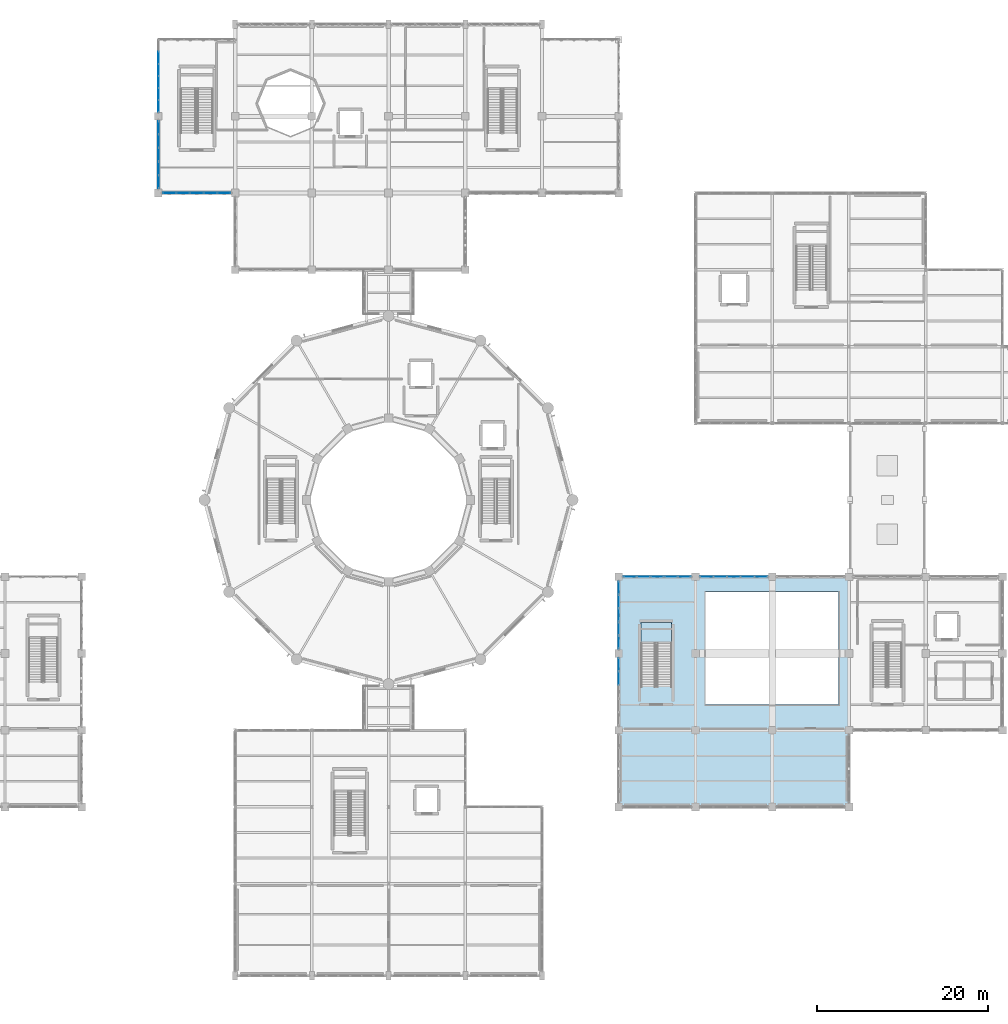
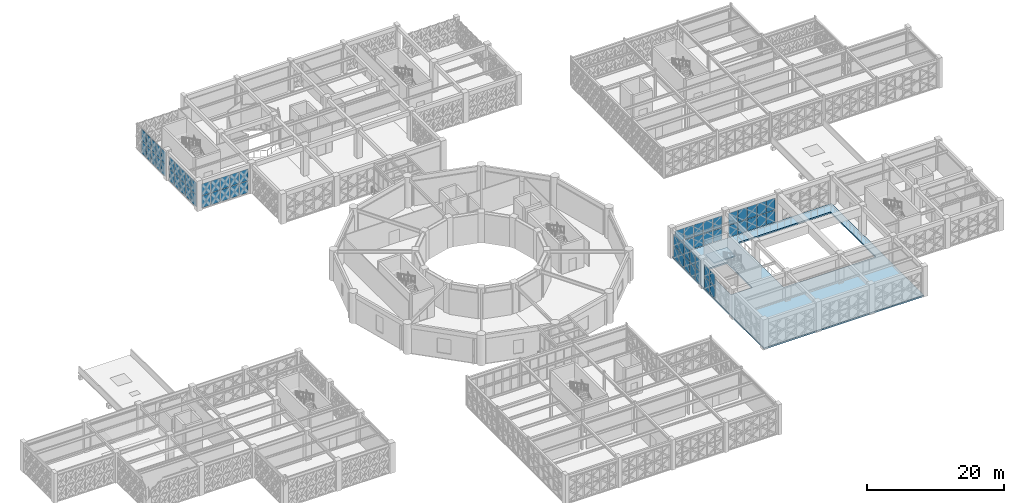
# One storey, part 123 of 155: 64 plates, 2 slabs, 8 elements without a shape of their own.
"""IFC4 building model written with IfcOpenShell, lengths in metres."""

from ifc_helpers import new_model, si_unit, direction, frame, origin, origin_2d, place, context, subcontext, project, spatial, polyline, rectangle, outline, extrude, material, layer, layer_set, type_object, element, aggregate, save


model = new_model("IFC4")

# Units and contexts
model_context = context("Model", 3, precision=1e-05, world=origin(), true_north=direction((0.0, 1.0)))
body_context = subcontext(model_context, "Body", "Model", "MODEL_VIEW")
ifc_project = project(units=[si_unit("LENGTHUNIT", "METRE"), si_unit("AREAUNIT", "SQUARE_METRE"), si_unit("VOLUMEUNIT", "CUBIC_METRE"), si_unit("PLANEANGLEUNIT", "RADIAN"), si_unit("MASSUNIT", "GRAM", prefix="KILO")], contexts=[model_context])

# Site, building, storey
site_placement = place(None, origin())
site = spatial("IfcSite", under=ifc_project, at=site_placement, CompositionType="ELEMENT")
building_placement = place(site_placement, origin())
building = spatial("IfcBuilding", under=site, at=building_placement, Name="Haizhuo Lancet Aquarium", CompositionType="ELEMENT")
storey_placement = place(building_placement, frame((0.0, 0.0, 10.800048828125)))
storey = spatial("IfcBuildingStorey", under=building, at=storey_placement, Name="L02", CompositionType="ELEMENT", Elevation=10.800048828125)

# Curtain wall, plates
ifc_material_1 = material(Name="Aluminium 6063-T6", Category="aluminium")
curtain_wall_type_1 = type_object("IfcCurtainWallType", Name="CWO-8010x4460", PredefinedType="NOTDEFINED", material=ifc_material_1)
curtain_wall_1_placement = place(storey_placement, origin())
curtain_wall_1 = element("IfcCurtainWall", 1, at=curtain_wall_1_placement, inside=storey, type_object=curtain_wall_type_1, Name="L02 curtain wall CW-V3-L02-065", PredefinedType="NOTDEFINED")
ifc_material_2 = material(Name="Laminated Low-E Glass", Category="glass")
ifc_layer_1 = layer(ifc_material_2, 0.028076171875)
ifc_layer_set_1 = layer_set([ifc_layer_1], Name="Laminated Low-E Glass")
plate_type_1 = type_object("IfcPlateType", Name="CW-PNL-1", PredefinedType="CURTAIN_PANEL", material=ifc_layer_set_1)
plate_1_placement = place(storey_placement, frame((27.0, -20.89794921875, 0.07568359375), z_axis=(0.0, 0.0, 1.0), x_axis=(0.0, 1.0, 0.0)))
plate_1 = element("IfcPlate", 2, at=plate_1_placement, type_object=plate_type_1, Name="CWO-80x44 panel 4.1", PredefinedType="CURTAIN_PANEL", context=body_context, shape_type="SweptSolid", body=[
    extrude(rectangle(XDim=1.527099609375, YDim=0.028076171875, at=origin_2d()), origin(), (0.0, 0.0, 1.0), 2.116943359375),
])
plate_2_placement = place(storey_placement, frame((27.0, -20.89794921875, 2.26708984375), z_axis=(0.0, 0.0, 1.0), x_axis=(0.0, 1.0, 0.0)))
plate_2 = element("IfcPlate", 3, at=plate_2_placement, type_object=plate_type_1, Name="CWO-80x44 panel 4.2", PredefinedType="CURTAIN_PANEL", context=body_context, shape_type="SweptSolid", body=[
    extrude(rectangle(XDim=1.527099609375, YDim=0.028076171875, at=origin_2d()), origin(), (0.0, 0.0, 1.0), 2.117919921875),
])
plate_3_placement = place(storey_placement, frame((27.0, -19.31494140625, 0.07568359375), z_axis=(0.0, 0.0, 1.0), x_axis=(0.0, 1.0, 0.0)))
plate_3 = element("IfcPlate", 4, at=plate_3_placement, type_object=plate_type_1, Name="CWO-80x44 panel 5.1", PredefinedType="CURTAIN_PANEL", context=body_context, shape_type="SweptSolid", body=[
    extrude(rectangle(XDim=1.489990234375, YDim=0.028076171875, at=origin_2d()), origin(), (0.0, 0.0, 1.0), 2.116943359375),
])
plate_4_placement = place(storey_placement, frame((27.0, -19.31494140625, 2.26708984375), z_axis=(0.0, 0.0, 1.0), x_axis=(0.0, 1.0, 0.0)))
plate_4 = element("IfcPlate", 5, at=plate_4_placement, type_object=plate_type_1, Name="CWO-80x44 panel 5.2", PredefinedType="CURTAIN_PANEL", context=body_context, shape_type="SweptSolid", body=[
    extrude(rectangle(XDim=1.489990234375, YDim=0.028076171875, at=origin_2d()), origin(), (0.0, 0.0, 1.0), 2.117919921875),
])
aggregate(curtain_wall_1, [plate_1, plate_2, plate_3, plate_4])

curtain_wall_type_2 = type_object("IfcCurtainWallType", Name="CWD-8510x4440", PredefinedType="NOTDEFINED", material=ifc_material_1)
curtain_wall_2_placement = place(storey_placement, origin())
curtain_wall_2 = element("IfcCurtainWall", 6, at=curtain_wall_2_placement, inside=storey, type_object=curtain_wall_type_2, Name="L02 curtain wall CW-V5-L02-145", PredefinedType="NOTDEFINED")
plate_5_placement = place(storey_placement, frame((-27.0, 46.219970703125, 0.0654296875), z_axis=(0.0, 0.0, 1.0), x_axis=(0.0, 1.0, 0.0)))
plate_5 = element("IfcPlate", 7, at=plate_5_placement, type_object=plate_type_1, Name="CWD-85x44 panel 1.1", PredefinedType="CURTAIN_PANEL", context=body_context, shape_type="SweptSolid", body=[
    extrude(rectangle(XDim=1.320068359375, YDim=0.028076171875, at=origin_2d()), origin(), (0.0, 0.0, 1.0), 2.125),
])
plate_6_placement = place(storey_placement, frame((-27.0, 46.219970703125, 2.255859375), z_axis=(0.0, 0.0, 1.0), x_axis=(0.0, 1.0, 0.0)))
plate_6 = element("IfcPlate", 8, at=plate_6_placement, type_object=plate_type_1, Name="CWD-85x44 panel 1.2", PredefinedType="CURTAIN_PANEL", context=body_context, shape_type="SweptSolid", body=[
    extrude(rectangle(XDim=1.320068359375, YDim=0.028076171875, at=origin_2d()), origin(), (0.0, 0.0, 1.0), 2.1240234375),
])
plate_7_placement = place(storey_placement, frame((-27.0, 47.62109375, 0.0654296875), z_axis=(0.0, 0.0, 1.0), x_axis=(0.0, 1.0, 0.0)))
plate_7 = element("IfcPlate", 9, at=plate_7_placement, type_object=plate_type_1, Name="CWD-85x44 panel 2.1", PredefinedType="CURTAIN_PANEL", context=body_context, shape_type="SweptSolid", body=[
    extrude(rectangle(XDim=1.35302734375, YDim=0.028076171875, at=origin_2d()), origin(), (0.0, 0.0, 1.0), 2.125),
])
plate_8_placement = place(storey_placement, frame((-27.0, 47.62109375, 2.255859375), z_axis=(0.0, 0.0, 1.0), x_axis=(0.0, 1.0, 0.0)))
plate_8 = element("IfcPlate", 10, at=plate_8_placement, type_object=plate_type_1, Name="CWD-85x44 panel 2.2", PredefinedType="CURTAIN_PANEL", context=body_context, shape_type="SweptSolid", body=[
    extrude(rectangle(XDim=1.35302734375, YDim=0.028076171875, at=origin_2d()), origin(), (0.0, 0.0, 1.0), 2.1240234375),
])
plate_9_placement = place(storey_placement, frame((-27.0, 49.0390625, 0.0654296875), z_axis=(0.0, 0.0, 1.0), x_axis=(0.0, 1.0, 0.0)))
plate_9 = element("IfcPlate", 11, at=plate_9_placement, type_object=plate_type_1, Name="CWD-85x44 panel 3.1", PredefinedType="CURTAIN_PANEL", context=body_context, shape_type="SweptSolid", body=[
    extrude(rectangle(XDim=1.35302734375, YDim=0.028076171875, at=origin_2d()), origin(), (0.0, 0.0, 1.0), 2.125),
])
plate_10_placement = place(storey_placement, frame((-27.0, 49.0390625, 2.255859375), z_axis=(0.0, 0.0, 1.0), x_axis=(0.0, 1.0, 0.0)))
plate_10 = element("IfcPlate", 12, at=plate_10_placement, type_object=plate_type_1, Name="CWD-85x44 panel 3.2", PredefinedType="CURTAIN_PANEL", context=body_context, shape_type="SweptSolid", body=[
    extrude(rectangle(XDim=1.35302734375, YDim=0.028076171875, at=origin_2d()), origin(), (0.0, 0.0, 1.0), 2.1240234375),
])
plate_11_placement = place(storey_placement, frame((-27.0, 50.4560546875, 0.0654296875), z_axis=(0.0, 0.0, 1.0), x_axis=(0.0, 1.0, 0.0)))
plate_11 = element("IfcPlate", 13, at=plate_11_placement, type_object=plate_type_1, Name="CWD-85x44 panel 4.1", PredefinedType="CURTAIN_PANEL", context=body_context, shape_type="SweptSolid", body=[
    extrude(rectangle(XDim=1.35302734375, YDim=0.028076171875, at=origin_2d()), origin(), (0.0, 0.0, 1.0), 2.125),
])
plate_12_placement = place(storey_placement, frame((-27.0, 50.4560546875, 2.255859375), z_axis=(0.0, 0.0, 1.0), x_axis=(0.0, 1.0, 0.0)))
plate_12 = element("IfcPlate", 14, at=plate_12_placement, type_object=plate_type_1, Name="CWD-85x44 panel 4.2", PredefinedType="CURTAIN_PANEL", context=body_context, shape_type="SweptSolid", body=[
    extrude(rectangle(XDim=1.35302734375, YDim=0.028076171875, at=origin_2d()), origin(), (0.0, 0.0, 1.0), 2.1240234375),
])
plate_13_placement = place(storey_placement, frame((-27.0, 51.8740234375, 0.0654296875), z_axis=(0.0, 0.0, 1.0), x_axis=(0.0, 1.0, 0.0)))
plate_13 = element("IfcPlate", 15, at=plate_13_placement, type_object=plate_type_1, Name="CWD-85x44 panel 5.1", PredefinedType="CURTAIN_PANEL", context=body_context, shape_type="SweptSolid", body=[
    extrude(rectangle(XDim=1.35302734375, YDim=0.028076171875, at=origin_2d()), origin(), (0.0, 0.0, 1.0), 2.125),
])
plate_14_placement = place(storey_placement, frame((-27.0, 51.8740234375, 2.255859375), z_axis=(0.0, 0.0, 1.0), x_axis=(0.0, 1.0, 0.0)))
plate_14 = element("IfcPlate", 16, at=plate_14_placement, type_object=plate_type_1, Name="CWD-85x44 panel 5.2", PredefinedType="CURTAIN_PANEL", context=body_context, shape_type="SweptSolid", body=[
    extrude(rectangle(XDim=1.35302734375, YDim=0.028076171875, at=origin_2d()), origin(), (0.0, 0.0, 1.0), 2.1240234375),
])
aggregate(curtain_wall_2, [plate_5, plate_6, plate_7, plate_8, plate_9, plate_10, plate_11, plate_12, plate_13, plate_14])

curtain_wall_3_placement = place(storey_placement, origin())
curtain_wall_3 = element("IfcCurtainWall", 17, at=curtain_wall_3_placement, inside=storey, type_object=curtain_wall_type_1, Name="L02 curtain wall CW-V3-L02-066", PredefinedType="NOTDEFINED")
ifc_layer_2 = layer(ifc_material_2, 0.033935546875)
ifc_layer_set_2 = layer_set([ifc_layer_2], Name="Laminated Low-E Glass")
plate_type_2 = type_object("IfcPlateType", Name="CW-PNL-2", PredefinedType="CURTAIN_PANEL", material=ifc_layer_set_2)
plate_15_placement = place(storey_placement, frame((27.0, -16.68408203125, 0.080078125), z_axis=(0.0, 0.0, 1.0), x_axis=(0.0, 1.0, 0.0)))
plate_15 = element("IfcPlate", 18, at=plate_15_placement, type_object=plate_type_2, Name="CWO-80x44 panel 1.1", PredefinedType="CURTAIN_PANEL", context=body_context, shape_type="SweptSolid", body=[
    extrude(rectangle(XDim=1.48193359375, YDim=0.033935546875, at=origin_2d()), origin(), (0.0, 0.0, 1.0), 2.110107421875),
])
plate_16_placement = place(storey_placement, frame((27.0, -16.68408203125, 2.27001953125), z_axis=(0.0, 0.0, 1.0), x_axis=(0.0, 1.0, 0.0)))
plate_16 = element("IfcPlate", 19, at=plate_16_placement, type_object=plate_type_2, Name="CWO-80x44 panel 1.2", PredefinedType="CURTAIN_PANEL", context=body_context, shape_type="SweptSolid", body=[
    extrude(rectangle(XDim=1.48193359375, YDim=0.033935546875, at=origin_2d()), origin(), (0.0, 0.0, 1.0), 2.110107421875),
])
plate_17_placement = place(storey_placement, frame((27.0, -15.10205078125, 0.080078125), z_axis=(0.0, 0.0, 1.0), x_axis=(0.0, 1.0, 0.0)))
plate_17 = element("IfcPlate", 20, at=plate_17_placement, type_object=plate_type_2, Name="CWO-80x44 panel 2.1", PredefinedType="CURTAIN_PANEL", context=body_context, shape_type="SweptSolid", body=[
    extrude(rectangle(XDim=1.52197265625, YDim=0.033935546875, at=origin_2d()), origin(), (0.0, 0.0, 1.0), 2.110107421875),
])
plate_18_placement = place(storey_placement, frame((27.0, -15.10205078125, 2.27001953125), z_axis=(0.0, 0.0, 1.0), x_axis=(0.0, 1.0, 0.0)))
plate_18 = element("IfcPlate", 21, at=plate_18_placement, type_object=plate_type_2, Name="CWO-80x44 panel 2.2", PredefinedType="CURTAIN_PANEL", context=body_context, shape_type="SweptSolid", body=[
    extrude(rectangle(XDim=1.52197265625, YDim=0.033935546875, at=origin_2d()), origin(), (0.0, 0.0, 1.0), 2.110107421875),
])
plate_19_placement = place(storey_placement, frame((27.0, -13.5, 0.080078125), z_axis=(0.0, 0.0, 1.0), x_axis=(0.0, 1.0, 0.0)))
plate_19 = element("IfcPlate", 22, at=plate_19_placement, type_object=plate_type_2, Name="CWO-80x44 panel 3.1", PredefinedType="CURTAIN_PANEL", context=body_context, shape_type="SweptSolid", body=[
    extrude(rectangle(XDim=1.52197265625, YDim=0.033935546875, at=origin_2d()), origin(), (0.0, 0.0, 1.0), 2.110107421875),
])
plate_20_placement = place(storey_placement, frame((27.0, -13.5, 2.27001953125), z_axis=(0.0, 0.0, 1.0), x_axis=(0.0, 1.0, 0.0)))
plate_20 = element("IfcPlate", 23, at=plate_20_placement, type_object=plate_type_2, Name="CWO-80x44 panel 3.2", PredefinedType="CURTAIN_PANEL", context=body_context, shape_type="SweptSolid", body=[
    extrude(rectangle(XDim=1.52197265625, YDim=0.033935546875, at=origin_2d()), origin(), (0.0, 0.0, 1.0), 2.110107421875),
])
plate_21_placement = place(storey_placement, frame((27.0, -11.89794921875, 0.080078125), z_axis=(0.0, 0.0, 1.0), x_axis=(0.0, 1.0, 0.0)))
plate_21 = element("IfcPlate", 24, at=plate_21_placement, type_object=plate_type_2, Name="CWO-80x44 panel 4.1", PredefinedType="CURTAIN_PANEL", context=body_context, shape_type="SweptSolid", body=[
    extrude(rectangle(XDim=1.52197265625, YDim=0.033935546875, at=origin_2d()), origin(), (0.0, 0.0, 1.0), 2.110107421875),
])
plate_22_placement = place(storey_placement, frame((27.0, -11.89794921875, 2.27001953125), z_axis=(0.0, 0.0, 1.0), x_axis=(0.0, 1.0, 0.0)))
plate_22 = element("IfcPlate", 25, at=plate_22_placement, type_object=plate_type_2, Name="CWO-80x44 panel 4.2", PredefinedType="CURTAIN_PANEL", context=body_context, shape_type="SweptSolid", body=[
    extrude(rectangle(XDim=1.52197265625, YDim=0.033935546875, at=origin_2d()), origin(), (0.0, 0.0, 1.0), 2.110107421875),
])
plate_23_placement = place(storey_placement, frame((27.0, -10.31591796875, 0.080078125), z_axis=(0.0, 0.0, 1.0), x_axis=(0.0, 1.0, 0.0)))
plate_23 = element("IfcPlate", 26, at=plate_23_placement, type_object=plate_type_2, Name="CWO-80x44 panel 5.1", PredefinedType="CURTAIN_PANEL", context=body_context, shape_type="SweptSolid", body=[
    extrude(rectangle(XDim=1.48193359375, YDim=0.033935546875, at=origin_2d()), origin(), (0.0, 0.0, 1.0), 2.110107421875),
])
plate_24_placement = place(storey_placement, frame((27.0, -10.31591796875, 2.27001953125), z_axis=(0.0, 0.0, 1.0), x_axis=(0.0, 1.0, 0.0)))
plate_24 = element("IfcPlate", 27, at=plate_24_placement, type_object=plate_type_2, Name="CWO-80x44 panel 5.2", PredefinedType="CURTAIN_PANEL", context=body_context, shape_type="SweptSolid", body=[
    extrude(rectangle(XDim=1.48193359375, YDim=0.033935546875, at=origin_2d()), origin(), (0.0, 0.0, 1.0), 2.110107421875),
])
aggregate(curtain_wall_3, [plate_15, plate_16, plate_17, plate_18, plate_19, plate_20, plate_21, plate_22, plate_23, plate_24])

curtain_wall_type_3 = type_object("IfcCurtainWallType", Name="CWO-8010x4410", PredefinedType="NOTDEFINED", material=ifc_material_1)
curtain_wall_4_placement = place(storey_placement, origin())
curtain_wall_4 = element("IfcCurtainWall", 28, at=curtain_wall_4_placement, inside=storey, type_object=curtain_wall_type_3, Name="L02 curtain wall CW-V3-L02-051", PredefinedType="NOTDEFINED")
ifc_layer_3 = layer(ifc_material_2, 0.0419921875)
ifc_layer_set_3 = layer_set([ifc_layer_3], Name="Laminated Low-E Glass")
plate_type_3 = type_object("IfcPlateType", Name="CW-PNL-3", PredefinedType="CURTAIN_PANEL", material=ifc_layer_set_3)
plate_25_placement = place(storey_placement, frame((28.31591796875, -9.0, 0.07958984375), z_axis=(0.0, 0.0, 1.0), x_axis=(1.0, 0.0, 0.0)))
plate_25 = element("IfcPlate", 29, at=plate_25_placement, type_object=plate_type_3, Name="CWO-80x44 panel 1.1", PredefinedType="CURTAIN_PANEL", context=body_context, shape_type="SweptSolid", body=[
    extrude(rectangle(XDim=1.48193359375, YDim=0.0419921875, at=origin_2d()), origin(), (0.0, 0.0, 1.0), 2.0849609375),
])
plate_26_placement = place(storey_placement, frame((28.31591796875, -9.0, 2.245361328125), z_axis=(0.0, 0.0, 1.0), x_axis=(1.0, 0.0, 0.0)))
plate_26 = element("IfcPlate", 30, at=plate_26_placement, type_object=plate_type_3, Name="CWO-80x44 panel 1.2", PredefinedType="CURTAIN_PANEL", context=body_context, shape_type="SweptSolid", body=[
    extrude(rectangle(XDim=1.48193359375, YDim=0.0419921875, at=origin_2d()), origin(), (0.0, 0.0, 1.0), 2.0849609375),
])
plate_27_placement = place(storey_placement, frame((29.89794921875, -9.0, 0.07958984375), z_axis=(0.0, 0.0, 1.0), x_axis=(1.0, 0.0, 0.0)))
plate_27 = element("IfcPlate", 31, at=plate_27_placement, type_object=plate_type_3, Name="CWO-80x44 panel 2.1", PredefinedType="CURTAIN_PANEL", context=body_context, shape_type="SweptSolid", body=[
    extrude(rectangle(XDim=1.52197265625, YDim=0.0419921875, at=origin_2d()), origin(), (0.0, 0.0, 1.0), 2.0849609375),
])
plate_28_placement = place(storey_placement, frame((29.89794921875, -9.0, 2.245361328125), z_axis=(0.0, 0.0, 1.0), x_axis=(1.0, 0.0, 0.0)))
plate_28 = element("IfcPlate", 32, at=plate_28_placement, type_object=plate_type_3, Name="CWO-80x44 panel 2.2", PredefinedType="CURTAIN_PANEL", context=body_context, shape_type="SweptSolid", body=[
    extrude(rectangle(XDim=1.52197265625, YDim=0.0419921875, at=origin_2d()), origin(), (0.0, 0.0, 1.0), 2.0849609375),
])
plate_29_placement = place(storey_placement, frame((31.5, -9.0, 0.07958984375), z_axis=(0.0, 0.0, 1.0), x_axis=(1.0, 0.0, 0.0)))
plate_29 = element("IfcPlate", 33, at=plate_29_placement, type_object=plate_type_3, Name="CWO-80x44 panel 3.1", PredefinedType="CURTAIN_PANEL", context=body_context, shape_type="SweptSolid", body=[
    extrude(rectangle(XDim=1.52197265625, YDim=0.0419921875, at=origin_2d()), origin(), (0.0, 0.0, 1.0), 2.0849609375),
])
plate_30_placement = place(storey_placement, frame((31.5, -9.0, 2.245361328125), z_axis=(0.0, 0.0, 1.0), x_axis=(1.0, 0.0, 0.0)))
plate_30 = element("IfcPlate", 34, at=plate_30_placement, type_object=plate_type_3, Name="CWO-80x44 panel 3.2", PredefinedType="CURTAIN_PANEL", context=body_context, shape_type="SweptSolid", body=[
    extrude(rectangle(XDim=1.52197265625, YDim=0.0419921875, at=origin_2d()), origin(), (0.0, 0.0, 1.0), 2.0849609375),
])
plate_31_placement = place(storey_placement, frame((33.10205078125, -9.0, 0.07958984375), z_axis=(0.0, 0.0, 1.0), x_axis=(1.0, 0.0, 0.0)))
plate_31 = element("IfcPlate", 35, at=plate_31_placement, type_object=plate_type_3, Name="CWO-80x44 panel 4.1", PredefinedType="CURTAIN_PANEL", context=body_context, shape_type="SweptSolid", body=[
    extrude(rectangle(XDim=1.52197265625, YDim=0.0419921875, at=origin_2d()), origin(), (0.0, 0.0, 1.0), 2.0849609375),
])
plate_32_placement = place(storey_placement, frame((33.10205078125, -9.0, 2.245361328125), z_axis=(0.0, 0.0, 1.0), x_axis=(1.0, 0.0, 0.0)))
plate_32 = element("IfcPlate", 36, at=plate_32_placement, type_object=plate_type_3, Name="CWO-80x44 panel 4.2", PredefinedType="CURTAIN_PANEL", context=body_context, shape_type="SweptSolid", body=[
    extrude(rectangle(XDim=1.52197265625, YDim=0.0419921875, at=origin_2d()), origin(), (0.0, 0.0, 1.0), 2.0849609375),
])
plate_33_placement = place(storey_placement, frame((34.68408203125, -9.0, 0.07958984375), z_axis=(0.0, 0.0, 1.0), x_axis=(1.0, 0.0, 0.0)))
plate_33 = element("IfcPlate", 37, at=plate_33_placement, type_object=plate_type_3, Name="CWO-80x44 panel 5.1", PredefinedType="CURTAIN_PANEL", context=body_context, shape_type="SweptSolid", body=[
    extrude(rectangle(XDim=1.48193359375, YDim=0.0419921875, at=origin_2d()), origin(), (0.0, 0.0, 1.0), 2.0849609375),
])
plate_34_placement = place(storey_placement, frame((34.68408203125, -9.0, 2.245361328125), z_axis=(0.0, 0.0, 1.0), x_axis=(1.0, 0.0, 0.0)))
plate_34 = element("IfcPlate", 38, at=plate_34_placement, type_object=plate_type_3, Name="CWO-80x44 panel 5.2", PredefinedType="CURTAIN_PANEL", context=body_context, shape_type="SweptSolid", body=[
    extrude(rectangle(XDim=1.48193359375, YDim=0.0419921875, at=origin_2d()), origin(), (0.0, 0.0, 1.0), 2.0849609375),
])
aggregate(curtain_wall_4, [plate_25, plate_26, plate_27, plate_28, plate_29, plate_30, plate_31, plate_32, plate_33, plate_34])

curtain_wall_type_4 = type_object("IfcCurtainWallType", Name="CWD-8010x4410", PredefinedType="NOTDEFINED", material=ifc_material_1)
curtain_wall_5_placement = place(storey_placement, origin())
curtain_wall_5 = element("IfcCurtainWall", 39, at=curtain_wall_5_placement, inside=storey, type_object=curtain_wall_type_4, Name="L02 curtain wall CW-V5-L02-143", PredefinedType="NOTDEFINED")
plate_35_placement = place(storey_placement, frame((-19.31494140625, 36.0, 0.07421875), z_axis=(0.0, 0.0, 1.0), x_axis=(-1.0, 0.0, 0.0)))
plate_35 = element("IfcPlate", 40, at=plate_35_placement, type_object=plate_type_3, Name="CWD-80x44 panel 1.1", PredefinedType="CURTAIN_PANEL", context=body_context, shape_type="SweptSolid", body=[
    extrude(rectangle(XDim=1.489013671875, YDim=0.0419921875, at=origin_2d()), origin(), (0.0, 0.0, 1.0), 2.093017578125),
])
plate_36_placement = place(storey_placement, frame((-19.31494140625, 36.0, 2.24267578125), z_axis=(0.0, 0.0, 1.0), x_axis=(-1.0, 0.0, 0.0)))
plate_36 = element("IfcPlate", 41, at=plate_36_placement, type_object=plate_type_3, Name="CWD-80x44 panel 1.2", PredefinedType="CURTAIN_PANEL", context=body_context, shape_type="SweptSolid", body=[
    extrude(rectangle(XDim=1.489013671875, YDim=0.0419921875, at=origin_2d()), origin(), (0.0, 0.0, 1.0), 2.093017578125),
])
plate_37_placement = place(storey_placement, frame((-20.89794921875, 36.0, 0.07421875), z_axis=(0.0, 0.0, 1.0), x_axis=(-1.0, 0.0, 0.0)))
plate_37 = element("IfcPlate", 42, at=plate_37_placement, type_object=plate_type_3, Name="CWD-80x44 panel 2.1", PredefinedType="CURTAIN_PANEL", context=body_context, shape_type="SweptSolid", body=[
    extrude(rectangle(XDim=1.527099609375, YDim=0.0419921875, at=origin_2d()), origin(), (0.0, 0.0, 1.0), 2.093017578125),
])
plate_38_placement = place(storey_placement, frame((-20.89794921875, 36.0, 2.24267578125), z_axis=(0.0, 0.0, 1.0), x_axis=(-1.0, 0.0, 0.0)))
plate_38 = element("IfcPlate", 43, at=plate_38_placement, type_object=plate_type_3, Name="CWD-80x44 panel 2.2", PredefinedType="CURTAIN_PANEL", context=body_context, shape_type="SweptSolid", body=[
    extrude(rectangle(XDim=1.527099609375, YDim=0.0419921875, at=origin_2d()), origin(), (0.0, 0.0, 1.0), 2.093017578125),
])
plate_39_placement = place(storey_placement, frame((-22.5, 36.0, 0.07421875), z_axis=(0.0, 0.0, 1.0), x_axis=(-1.0, 0.0, 0.0)))
plate_39 = element("IfcPlate", 44, at=plate_39_placement, type_object=plate_type_3, Name="CWD-80x44 panel 3.1", PredefinedType="CURTAIN_PANEL", context=body_context, shape_type="SweptSolid", body=[
    extrude(rectangle(XDim=1.527099609375, YDim=0.0419921875, at=origin_2d()), origin(), (0.0, 0.0, 1.0), 2.093017578125),
])
plate_40_placement = place(storey_placement, frame((-22.5, 36.0, 2.24267578125), z_axis=(0.0, 0.0, 1.0), x_axis=(-1.0, 0.0, 0.0)))
plate_40 = element("IfcPlate", 45, at=plate_40_placement, type_object=plate_type_3, Name="CWD-80x44 panel 3.2", PredefinedType="CURTAIN_PANEL", context=body_context, shape_type="SweptSolid", body=[
    extrude(rectangle(XDim=1.527099609375, YDim=0.0419921875, at=origin_2d()), origin(), (0.0, 0.0, 1.0), 2.093017578125),
])
plate_41_placement = place(storey_placement, frame((-24.10205078125, 36.0, 0.07421875), z_axis=(0.0, 0.0, 1.0), x_axis=(-1.0, 0.0, 0.0)))
plate_41 = element("IfcPlate", 46, at=plate_41_placement, type_object=plate_type_3, Name="CWD-80x44 panel 4.1", PredefinedType="CURTAIN_PANEL", context=body_context, shape_type="SweptSolid", body=[
    extrude(rectangle(XDim=1.527099609375, YDim=0.0419921875, at=origin_2d()), origin(), (0.0, 0.0, 1.0), 2.093017578125),
])
plate_42_placement = place(storey_placement, frame((-24.10205078125, 36.0, 2.24267578125), z_axis=(0.0, 0.0, 1.0), x_axis=(-1.0, 0.0, 0.0)))
plate_42 = element("IfcPlate", 47, at=plate_42_placement, type_object=plate_type_3, Name="CWD-80x44 panel 4.2", PredefinedType="CURTAIN_PANEL", context=body_context, shape_type="SweptSolid", body=[
    extrude(rectangle(XDim=1.527099609375, YDim=0.0419921875, at=origin_2d()), origin(), (0.0, 0.0, 1.0), 2.093017578125),
])
plate_43_placement = place(storey_placement, frame((-25.68505859375, 36.0, 0.07421875), z_axis=(0.0, 0.0, 1.0), x_axis=(-1.0, 0.0, 0.0)))
plate_43 = element("IfcPlate", 48, at=plate_43_placement, type_object=plate_type_3, Name="CWD-80x44 panel 5.1", PredefinedType="CURTAIN_PANEL", context=body_context, shape_type="SweptSolid", body=[
    extrude(rectangle(XDim=1.489990234375, YDim=0.0419921875, at=origin_2d()), origin(), (0.0, 0.0, 1.0), 2.093017578125),
])
plate_44_placement = place(storey_placement, frame((-25.68505859375, 36.0, 2.24267578125), z_axis=(0.0, 0.0, 1.0), x_axis=(-1.0, 0.0, 0.0)))
plate_44 = element("IfcPlate", 49, at=plate_44_placement, type_object=plate_type_3, Name="CWD-80x44 panel 5.2", PredefinedType="CURTAIN_PANEL", context=body_context, shape_type="SweptSolid", body=[
    extrude(rectangle(XDim=1.489990234375, YDim=0.0419921875, at=origin_2d()), origin(), (0.0, 0.0, 1.0), 2.093017578125),
])
aggregate(curtain_wall_5, [plate_35, plate_36, plate_37, plate_38, plate_39, plate_40, plate_41, plate_42, plate_43, plate_44])

curtain_wall_6_placement = place(storey_placement, origin())
curtain_wall_6 = element("IfcCurtainWall", 50, at=curtain_wall_6_placement, inside=storey, type_object=curtain_wall_type_3, Name="L02 curtain wall CW-V3-L02-052", PredefinedType="NOTDEFINED")
ifc_layer_4 = layer(ifc_material_2, 0.052001953125)
ifc_layer_set_4 = layer_set([ifc_layer_4], Name="Laminated Low-E Glass")
plate_type_4 = type_object("IfcPlateType", Name="CW-PNL-4", PredefinedType="CURTAIN_PANEL", material=ifc_layer_set_4)
plate_45_placement = place(storey_placement, frame((37.31201171875, -9.0, 0.0654296875), z_axis=(0.0, 0.0, 1.0), x_axis=(1.0, 0.0, 0.0)))
plate_45 = element("IfcPlate", 51, at=plate_45_placement, type_object=plate_type_4, Name="CWO-80x44 panel 1.1", PredefinedType="CURTAIN_PANEL", context=body_context, shape_type="SweptSolid", body=[
    extrude(rectangle(XDim=1.5048828125, YDim=0.052001953125, at=origin_2d()), origin(), (0.0, 0.0, 1.0), 2.10693359375),
])
plate_46_placement = place(storey_placement, frame((37.31201171875, -9.0, 2.237548828125), z_axis=(0.0, 0.0, 1.0), x_axis=(1.0, 0.0, 0.0)))
plate_46 = element("IfcPlate", 52, at=plate_46_placement, type_object=plate_type_4, Name="CWO-80x44 panel 1.2", PredefinedType="CURTAIN_PANEL", context=body_context, shape_type="SweptSolid", body=[
    extrude(rectangle(XDim=1.5048828125, YDim=0.052001953125, at=origin_2d()), origin(), (0.0, 0.0, 1.0), 2.10693359375),
])
plate_47_placement = place(storey_placement, frame((38.89794921875, -9.0, 0.0654296875), z_axis=(0.0, 0.0, 1.0), x_axis=(1.0, 0.0, 0.0)))
plate_47 = element("IfcPlate", 53, at=plate_47_placement, type_object=plate_type_4, Name="CWO-80x44 panel 2.1", PredefinedType="CURTAIN_PANEL", context=body_context, shape_type="SweptSolid", body=[
    extrude(rectangle(XDim=1.537109375, YDim=0.052001953125, at=origin_2d()), origin(), (0.0, 0.0, 1.0), 2.10693359375),
])
plate_48_placement = place(storey_placement, frame((38.89794921875, -9.0, 2.237548828125), z_axis=(0.0, 0.0, 1.0), x_axis=(1.0, 0.0, 0.0)))
plate_48 = element("IfcPlate", 54, at=plate_48_placement, type_object=plate_type_4, Name="CWO-80x44 panel 2.2", PredefinedType="CURTAIN_PANEL", context=body_context, shape_type="SweptSolid", body=[
    extrude(rectangle(XDim=1.537109375, YDim=0.052001953125, at=origin_2d()), origin(), (0.0, 0.0, 1.0), 2.10693359375),
])
plate_49_placement = place(storey_placement, frame((40.5, -9.0, 0.0654296875), z_axis=(0.0, 0.0, 1.0), x_axis=(1.0, 0.0, 0.0)))
plate_49 = element("IfcPlate", 55, at=plate_49_placement, type_object=plate_type_4, Name="CWO-80x44 panel 3.1", PredefinedType="CURTAIN_PANEL", context=body_context, shape_type="SweptSolid", body=[
    extrude(rectangle(XDim=1.537109375, YDim=0.052001953125, at=origin_2d()), origin(), (0.0, 0.0, 1.0), 2.10693359375),
])
plate_50_placement = place(storey_placement, frame((40.5, -9.0, 2.237548828125), z_axis=(0.0, 0.0, 1.0), x_axis=(1.0, 0.0, 0.0)))
plate_50 = element("IfcPlate", 56, at=plate_50_placement, type_object=plate_type_4, Name="CWO-80x44 panel 3.2", PredefinedType="CURTAIN_PANEL", context=body_context, shape_type="SweptSolid", body=[
    extrude(rectangle(XDim=1.537109375, YDim=0.052001953125, at=origin_2d()), origin(), (0.0, 0.0, 1.0), 2.10693359375),
])
plate_51_placement = place(storey_placement, frame((42.10205078125, -9.0, 0.0654296875), z_axis=(0.0, 0.0, 1.0), x_axis=(1.0, 0.0, 0.0)))
plate_51 = element("IfcPlate", 57, at=plate_51_placement, type_object=plate_type_4, Name="CWO-80x44 panel 4.1", PredefinedType="CURTAIN_PANEL", context=body_context, shape_type="SweptSolid", body=[
    extrude(rectangle(XDim=1.537109375, YDim=0.052001953125, at=origin_2d()), origin(), (0.0, 0.0, 1.0), 2.10693359375),
])
plate_52_placement = place(storey_placement, frame((42.10205078125, -9.0, 2.237548828125), z_axis=(0.0, 0.0, 1.0), x_axis=(1.0, 0.0, 0.0)))
plate_52 = element("IfcPlate", 58, at=plate_52_placement, type_object=plate_type_4, Name="CWO-80x44 panel 4.2", PredefinedType="CURTAIN_PANEL", context=body_context, shape_type="SweptSolid", body=[
    extrude(rectangle(XDim=1.537109375, YDim=0.052001953125, at=origin_2d()), origin(), (0.0, 0.0, 1.0), 2.10693359375),
])
plate_53_placement = place(storey_placement, frame((43.68798828125, -9.0, 0.0654296875), z_axis=(0.0, 0.0, 1.0), x_axis=(1.0, 0.0, 0.0)))
plate_53 = element("IfcPlate", 59, at=plate_53_placement, type_object=plate_type_4, Name="CWO-80x44 panel 5.1", PredefinedType="CURTAIN_PANEL", context=body_context, shape_type="SweptSolid", body=[
    extrude(rectangle(XDim=1.5048828125, YDim=0.052001953125, at=origin_2d()), origin(), (0.0, 0.0, 1.0), 2.10693359375),
])
plate_54_placement = place(storey_placement, frame((43.68798828125, -9.0, 2.237548828125), z_axis=(0.0, 0.0, 1.0), x_axis=(1.0, 0.0, 0.0)))
plate_54 = element("IfcPlate", 60, at=plate_54_placement, type_object=plate_type_4, Name="CWO-80x44 panel 5.2", PredefinedType="CURTAIN_PANEL", context=body_context, shape_type="SweptSolid", body=[
    extrude(rectangle(XDim=1.5048828125, YDim=0.052001953125, at=origin_2d()), origin(), (0.0, 0.0, 1.0), 2.10693359375),
])
aggregate(curtain_wall_6, [plate_45, plate_46, plate_47, plate_48, plate_49, plate_50, plate_51, plate_52, plate_53, plate_54])

curtain_wall_type_5 = type_object("IfcCurtainWallType", Name="CWD-8010x4460", PredefinedType="NOTDEFINED", material=ifc_material_1)
curtain_wall_7_placement = place(storey_placement, origin())
curtain_wall_7 = element("IfcCurtainWall", 61, at=curtain_wall_7_placement, inside=storey, type_object=curtain_wall_type_5, Name="L02 curtain wall CW-V5-L02-144", PredefinedType="NOTDEFINED")
plate_55_placement = place(storey_placement, frame((-27.0, 37.31591796875, 0.080078125), z_axis=(0.0, 0.0, 1.0), x_axis=(0.0, 1.0, 0.0)))
plate_55 = element("IfcPlate", 62, at=plate_55_placement, type_object=plate_type_4, Name="CWD-80x44 panel 1.1", PredefinedType="CURTAIN_PANEL", context=body_context, shape_type="SweptSolid", body=[
    extrude(rectangle(XDim=1.48193359375, YDim=0.052001953125, at=origin_2d()), origin(), (0.0, 0.0, 1.0), 2.110107421875),
])
plate_56_placement = place(storey_placement, frame((-27.0, 37.31591796875, 2.27001953125), z_axis=(0.0, 0.0, 1.0), x_axis=(0.0, 1.0, 0.0)))
plate_56 = element("IfcPlate", 63, at=plate_56_placement, type_object=plate_type_4, Name="CWD-80x44 panel 1.2", PredefinedType="CURTAIN_PANEL", context=body_context, shape_type="SweptSolid", body=[
    extrude(rectangle(XDim=1.48193359375, YDim=0.052001953125, at=origin_2d()), origin(), (0.0, 0.0, 1.0), 2.110107421875),
])
plate_57_placement = place(storey_placement, frame((-27.0, 38.89794921875, 0.080078125), z_axis=(0.0, 0.0, 1.0), x_axis=(0.0, 1.0, 0.0)))
plate_57 = element("IfcPlate", 64, at=plate_57_placement, type_object=plate_type_4, Name="CWD-80x44 panel 2.1", PredefinedType="CURTAIN_PANEL", context=body_context, shape_type="SweptSolid", body=[
    extrude(rectangle(XDim=1.52197265625, YDim=0.052001953125, at=origin_2d()), origin(), (0.0, 0.0, 1.0), 2.110107421875),
])
plate_58_placement = place(storey_placement, frame((-27.0, 38.89794921875, 2.27001953125), z_axis=(0.0, 0.0, 1.0), x_axis=(0.0, 1.0, 0.0)))
plate_58 = element("IfcPlate", 65, at=plate_58_placement, type_object=plate_type_4, Name="CWD-80x44 panel 2.2", PredefinedType="CURTAIN_PANEL", context=body_context, shape_type="SweptSolid", body=[
    extrude(rectangle(XDim=1.52197265625, YDim=0.052001953125, at=origin_2d()), origin(), (0.0, 0.0, 1.0), 2.110107421875),
])
plate_59_placement = place(storey_placement, frame((-27.0, 40.5, 0.080078125), z_axis=(0.0, 0.0, 1.0), x_axis=(0.0, 1.0, 0.0)))
plate_59 = element("IfcPlate", 66, at=plate_59_placement, type_object=plate_type_4, Name="CWD-80x44 panel 3.1", PredefinedType="CURTAIN_PANEL", context=body_context, shape_type="SweptSolid", body=[
    extrude(rectangle(XDim=1.52197265625, YDim=0.052001953125, at=origin_2d()), origin(), (0.0, 0.0, 1.0), 2.110107421875),
])
plate_60_placement = place(storey_placement, frame((-27.0, 40.5, 2.27001953125), z_axis=(0.0, 0.0, 1.0), x_axis=(0.0, 1.0, 0.0)))
plate_60 = element("IfcPlate", 67, at=plate_60_placement, type_object=plate_type_4, Name="CWD-80x44 panel 3.2", PredefinedType="CURTAIN_PANEL", context=body_context, shape_type="SweptSolid", body=[
    extrude(rectangle(XDim=1.52197265625, YDim=0.052001953125, at=origin_2d()), origin(), (0.0, 0.0, 1.0), 2.110107421875),
])
plate_61_placement = place(storey_placement, frame((-27.0, 42.10205078125, 0.080078125), z_axis=(0.0, 0.0, 1.0), x_axis=(0.0, 1.0, 0.0)))
plate_61 = element("IfcPlate", 68, at=plate_61_placement, type_object=plate_type_4, Name="CWD-80x44 panel 4.1", PredefinedType="CURTAIN_PANEL", context=body_context, shape_type="SweptSolid", body=[
    extrude(rectangle(XDim=1.52197265625, YDim=0.052001953125, at=origin_2d()), origin(), (0.0, 0.0, 1.0), 2.110107421875),
])
plate_62_placement = place(storey_placement, frame((-27.0, 42.10205078125, 2.27001953125), z_axis=(0.0, 0.0, 1.0), x_axis=(0.0, 1.0, 0.0)))
plate_62 = element("IfcPlate", 69, at=plate_62_placement, type_object=plate_type_4, Name="CWD-80x44 panel 4.2", PredefinedType="CURTAIN_PANEL", context=body_context, shape_type="SweptSolid", body=[
    extrude(rectangle(XDim=1.52197265625, YDim=0.052001953125, at=origin_2d()), origin(), (0.0, 0.0, 1.0), 2.110107421875),
])
plate_63_placement = place(storey_placement, frame((-27.0, 43.68408203125, 0.080078125), z_axis=(0.0, 0.0, 1.0), x_axis=(0.0, 1.0, 0.0)))
plate_63 = element("IfcPlate", 70, at=plate_63_placement, type_object=plate_type_4, Name="CWD-80x44 panel 5.1", PredefinedType="CURTAIN_PANEL", context=body_context, shape_type="SweptSolid", body=[
    extrude(rectangle(XDim=1.48193359375, YDim=0.052001953125, at=origin_2d()), origin(), (0.0, 0.0, 1.0), 2.110107421875),
])
plate_64_placement = place(storey_placement, frame((-27.0, 43.68408203125, 2.27001953125), z_axis=(0.0, 0.0, 1.0), x_axis=(0.0, 1.0, 0.0)))
plate_64 = element("IfcPlate", 71, at=plate_64_placement, type_object=plate_type_4, Name="CWD-80x44 panel 5.2", PredefinedType="CURTAIN_PANEL", context=body_context, shape_type="SweptSolid", body=[
    extrude(rectangle(XDim=1.48193359375, YDim=0.052001953125, at=origin_2d()), origin(), (0.0, 0.0, 1.0), 2.110107421875),
])
aggregate(curtain_wall_7, [plate_55, plate_56, plate_57, plate_58, plate_59, plate_60, plate_61, plate_62, plate_63, plate_64])

# Stair, slab
ifc_material_3 = material(Name="Concrete C40/50", Category="concrete")
stair_type = type_object("IfcStairType", Name="STR-HT-1700-54", PredefinedType="HALF_TURN_STAIR", material=ifc_material_3)
stair_placement = place(storey_placement, origin())
stair = element("IfcStair", 72, at=stair_placement, inside=storey, type_object=stair_type, Name="L02 enclosed exit stair ST-04", PredefinedType="HALF_TURN_STAIR")
ifc_layer_5 = layer(ifc_material_3, 0.199951171875)
ifc_layer_set_5 = layer_set([ifc_layer_5], Name="Concrete C40/50")
slab_type_1 = type_object("IfcSlabType", Name="SLB-LND-1700", PredefinedType="LANDING", material=ifc_layer_set_5)
slab_1_placement = place(storey_placement, frame((0.0, 0.0, 2.5)))
slab_1 = element("IfcSlab", 73, at=slab_1_placement, type_object=slab_type_1, Name="ST-35 landing 1", PredefinedType="LANDING", context=body_context, shape_type="SweptSolid", body=[
    extrude(outline(polyline([(33.199951171875, -16.85009765625), (33.199951171875, -14.35009765625), (29.60009765625, -14.35009765625), (29.60009765625, -16.85009765625), (33.199951171875, -16.85009765625)])), origin(), (0.0, 0.0, 1.0), 0.199951171875),
])
aggregate(stair, [slab_1])

# Slab
ifc_layer_6 = layer(ifc_material_3, 0.260009765625)
ifc_layer_set_6 = layer_set([ifc_layer_6], Name="Concrete C40/50")
slab_type_2 = type_object("IfcSlabType", Name="SLB-UPPER-260", PredefinedType="FLOOR", material=ifc_layer_set_6)
slab_2_placement = place(storey_placement, frame((0.0, 0.0, -0.260009765625)))
element("IfcSlab", 74, at=slab_2_placement, inside=storey, type_object=slab_type_2, Name="L02 structural slab SL-L02-V3-01", PredefinedType="FLOOR", context=body_context, shape_type="SweptSolid", body=[
    extrude(outline(polyline([(54.0, -36.0), (54.0, -9.0), (27.0, -9.0), (27.0, -36.0), (54.0, -36.0)]), holes=[polyline([(29.60009765625, -21.77001953125), (33.199951171875, -21.77001953125), (33.199951171875, -14.35009765625), (29.60009765625, -14.35009765625), (29.60009765625, -21.77001953125)]), polyline([(52.800048828125, -10.800048828125), (37.199951171875, -10.800048828125), (37.199951171875, -24.0), (52.800048828125, -24.0), (52.800048828125, -10.800048828125)])]), origin(), (0.0, 0.0, 1.0), 0.260009765625),
])

save(model, "model.ifc")
